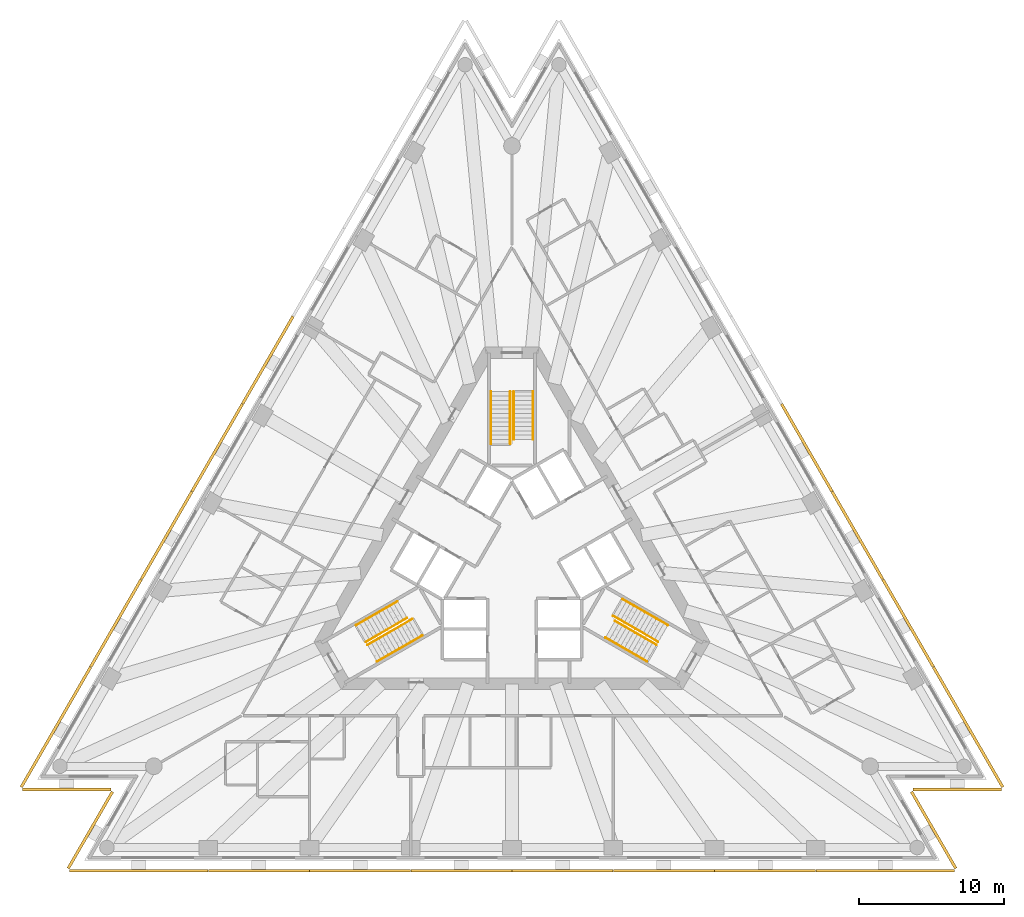
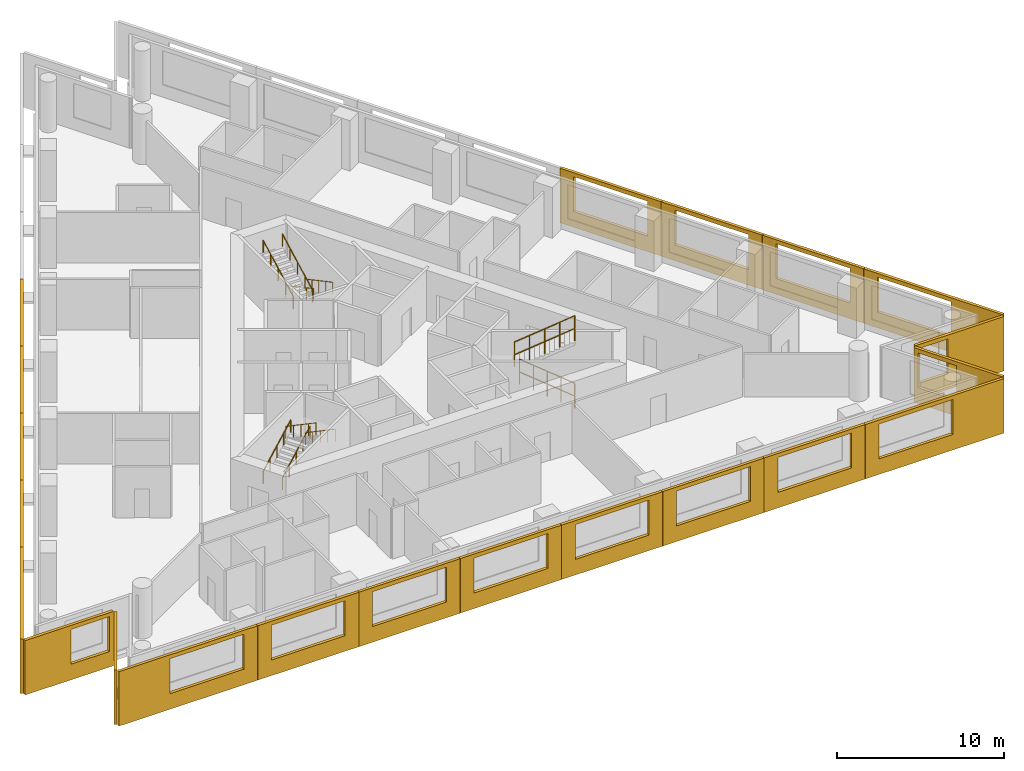
# One storey, part 9 of 10: 21 shading devices, 12 railings, 3 elements without a shape of their own.
"""IFC4 building model written with IfcOpenShell, lengths in metres."""

from ifc_helpers import new_model, si_unit, direction, frame, origin, origin_2d, place, context, subcontext, project, spatial, polyline, circle, outline, extrude, material, layer, layer_set, type_object, element, aggregate, save


model = new_model("IFC4")

# Units and contexts
model_context = context("Model", 3, precision=1e-05, world=origin(), true_north=direction((0.0, 1.0)))
body_context = subcontext(model_context, "Body", "Model", "MODEL_VIEW")
ifc_project = project(units=[si_unit("LENGTHUNIT", "METRE"), si_unit("AREAUNIT", "SQUARE_METRE"), si_unit("VOLUMEUNIT", "CUBIC_METRE"), si_unit("PLANEANGLEUNIT", "RADIAN"), si_unit("MASSUNIT", "GRAM", prefix="KILO")], contexts=[model_context])

# Site, building, storey
site_placement = place(None, origin())
site = spatial("IfcSite", under=ifc_project, at=site_placement, CompositionType="ELEMENT")
building_placement = place(site_placement, origin())
building = spatial("IfcBuilding", under=site, at=building_placement, Name="Triada Interchange Tower", CompositionType="ELEMENT")
storey_placement = place(building_placement, frame((0.0, 0.0, 104.300048828125)))
storey = spatial("IfcBuildingStorey", under=building, at=storey_placement, Name="L23", CompositionType="ELEMENT", Elevation=104.300048828125)

# Shading devices
ifc_material_1 = material(Name="Concrete C50/60 precast", Category="concrete")
ifc_layer_1 = layer(ifc_material_1, 0.02001953125, Name="Exposed aggregate face")
ifc_layer_2 = layer(ifc_material_1, 0.179931640625, Name="Precast concrete screen")
ifc_layer_set = layer_set([ifc_layer_1, ifc_layer_2], Name="Outer skin screen panel 3980")
shading_device_type = type_object("IfcShadingDeviceType", Name="Outer skin screen panel 3980", PredefinedType="SHUTTER", material=ifc_layer_set)
shading_device_1_placement = place(storey_placement, frame((-15.052001953125, 16.763916015625, -0.2900390625), z_axis=(0.0, 0.0, 1.0), x_axis=(-0.49997871953, -0.866037689721, 0.0)))
element("IfcShadingDevice", 1, at=shading_device_1_placement, inside=storey, type_object=shading_device_type, Name="Outer skin screen panel L23 04", PredefinedType="SHUTTER", context=body_context, shape_type="SweptSolid", body=[
    extrude(outline(polyline([(0.0, 0.0), (6.982177734375, 0.0), (6.982177734375, 3.97998046875), (0.0, 3.97998046875), (0.0, 0.0)]), holes=[polyline([(0.9404296875, 1.139892578125), (0.9404296875, 3.68994140625), (6.040283203125, 3.68994140625), (6.040283203125, 1.139892578125), (0.9404296875, 1.139892578125)])]), frame((0.0, 0.0, 0.0), z_axis=(0.0, -1.0, 0.0), x_axis=(1.0, 0.0, 0.0)), (0.0, 0.0, 1.0), 0.199951171875),
])
shading_device_2_placement = place(storey_placement, frame((-18.552978515625, 10.699951171875, -0.2900390625), z_axis=(0.0, 0.0, 1.0), x_axis=(-0.499934370605, -0.866063291618, 0.0)))
element("IfcShadingDevice", 2, at=shading_device_2_placement, inside=storey, type_object=shading_device_type, Name="Outer skin screen panel L23 05", PredefinedType="SHUTTER", context=body_context, shape_type="SweptSolid", body=[
    extrude(outline(polyline([(0.0, 0.0), (6.98095703125, 0.0), (6.98095703125, 3.97998046875), (0.0, 3.97998046875), (0.0, 0.0)]), holes=[polyline([(0.94091796875, 1.139892578125), (0.94091796875, 3.68994140625), (6.040771484375, 3.68994140625), (6.040771484375, 1.139892578125), (0.94091796875, 1.139892578125)])]), frame((0.0, 0.0, 0.0), z_axis=(0.0, -1.0, 0.0), x_axis=(1.0, 0.0, 0.0)), (0.0, 0.0, 1.0), 0.199951171875),
])
shading_device_3_placement = place(storey_placement, frame((-22.052978515625, 4.635986328125, -0.2900390625), z_axis=(0.0, 0.0, 1.0), x_axis=(-0.5000392868, -0.866002720352, 0.0)))
element("IfcShadingDevice", 3, at=shading_device_3_placement, inside=storey, type_object=shading_device_type, Name="Outer skin screen panel L23 06", PredefinedType="SHUTTER", context=body_context, shape_type="SweptSolid", body=[
    extrude(outline(polyline([(0.0, 0.0), (6.9814453125, 0.0), (6.9814453125, 3.97998046875), (0.0, 3.97998046875), (0.0, 0.0)]), holes=[polyline([(0.941162109375, 1.139892578125), (0.941162109375, 3.68994140625), (6.041015625, 3.68994140625), (6.041015625, 1.139892578125), (0.941162109375, 1.139892578125)])]), frame((0.0, 0.0, 0.0), z_axis=(0.0, -1.0, 0.0), x_axis=(1.0, 0.0, 0.0)), (0.0, 0.0, 1.0), 0.199951171875),
])
shading_device_4_placement = place(storey_placement, frame((-25.553955078125, -1.427001953125, -0.2900390625), z_axis=(0.0, 0.0, 1.0), x_axis=(-0.499963579623, -0.866046430078, 0.0)))
element("IfcShadingDevice", 4, at=shading_device_4_placement, inside=storey, type_object=shading_device_type, Name="Outer skin screen panel L23 07", PredefinedType="SHUTTER", context=body_context, shape_type="SweptSolid", body=[
    extrude(outline(polyline([(0.0, 0.0), (6.982421875, 0.0), (6.982421875, 3.97998046875), (0.0, 3.97998046875), (0.0, 0.0)]), holes=[polyline([(0.9404296875, 1.139892578125), (0.9404296875, 3.68994140625), (6.040283203125, 3.68994140625), (6.040283203125, 1.139892578125), (0.9404296875, 1.139892578125)])]), frame((0.0, 0.0, 0.0), z_axis=(0.0, -1.0, 0.0), x_axis=(1.0, 0.0, 0.0)), (0.0, 0.0, 1.0), 0.199951171875),
])
shading_device_5_placement = place(storey_placement, frame((-29.054931640625, -7.490966796875, -0.2900390625), z_axis=(0.0, 0.0, 1.0), x_axis=(-0.500020270231, -0.866013700445, 0.0)))
element("IfcShadingDevice", 5, at=shading_device_5_placement, inside=storey, type_object=shading_device_type, Name="Outer skin screen panel L23 08", PredefinedType="SHUTTER", context=body_context, shape_type="SweptSolid", body=[
    extrude(outline(polyline([(0.0, 0.0), (9.57958984375, 0.0), (9.57958984375, 3.97998046875), (0.0, 3.97998046875), (0.0, 0.0)]), holes=[polyline([(0.940673828125, 1.139892578125), (0.940673828125, 3.68994140625), (6.040771484375, 3.68994140625), (6.040771484375, 1.139892578125), (0.940673828125, 1.139892578125)])]), frame((0.0, 0.0, 0.0), z_axis=(0.0, -1.0, 0.0), x_axis=(1.0, 0.0, 0.0)), (0.0, 0.0, 1.0), 0.199951171875),
])
shading_device_6_placement = place(storey_placement, frame((-33.840087890625, -15.7958984375, -0.2900390625), z_axis=(0.0, 0.0, 1.0), x_axis=(1.0, 0.0, 0.0)))
element("IfcShadingDevice", 6, at=shading_device_6_placement, inside=storey, type_object=shading_device_type, Name="Outer skin screen panel L23 09", PredefinedType="SHUTTER", context=body_context, shape_type="SweptSolid", body=[
    extrude(outline(polyline([(0.0, 0.0), (6.123046875, 0.0), (6.123046875, 3.97998046875), (0.0, 3.97998046875), (0.0, 0.0)]), holes=[polyline([(3.175048828125, 1.139892578125), (3.175048828125, 3.68994140625), (5.822998046875, 3.68994140625), (5.822998046875, 1.139892578125), (3.175048828125, 1.139892578125)])]), frame((0.0, 0.0, 0.0), z_axis=(0.0, -1.0, 0.0), x_axis=(1.0, 0.0, 0.0)), (0.0, 0.0, 1.0), 0.199951171875),
])
shading_device_7_placement = place(storey_placement, frame((-27.5380859375, -16.10498046875, -0.2900390625), z_axis=(0.0, 0.0, 1.0), x_axis=(-0.500041108788, -0.866001668314, 0.0)))
element("IfcShadingDevice", 7, at=shading_device_7_placement, inside=storey, type_object=shading_device_type, Name="Outer skin screen panel L23 10", PredefinedType="SHUTTER", context=body_context, shape_type="SweptSolid", body=[
    extrude(outline(polyline([(0.0, 0.0), (6.12353515625, 0.0), (6.12353515625, 3.97998046875), (0.0, 3.97998046875), (0.0, 0.0)]), holes=[polyline([(0.300048828125, 1.139892578125), (0.300048828125, 3.68994140625), (2.258056640625, 3.68994140625), (2.258056640625, 1.139892578125), (0.300048828125, 1.139892578125)])]), frame((0.0, 0.0, 0.0), z_axis=(0.0, -1.0, 0.0), x_axis=(1.0, 0.0, 0.0)), (0.0, 0.0, 1.0), 0.199951171875),
])
shading_device_8_placement = place(storey_placement, frame((-30.594970703125, -21.4169921875, -0.2900390625), z_axis=(0.0, 0.0, 1.0), x_axis=(1.0, 0.0, 0.0)))
element("IfcShadingDevice", 8, at=shading_device_8_placement, inside=storey, type_object=shading_device_type, Name="Outer skin screen panel L23 11", PredefinedType="SHUTTER", context=body_context, shape_type="SweptSolid", body=[
    extrude(outline(polyline([(0.0, 0.0), (9.580078125, 0.0), (9.580078125, 3.97998046875), (0.0, 3.97998046875), (0.0, 0.0)]), holes=[polyline([(3.5390625, 1.139892578125), (3.5390625, 3.68994140625), (8.638916015625, 3.68994140625), (8.638916015625, 1.139892578125), (3.5390625, 1.139892578125)])]), frame((0.0, 0.0, 0.0), z_axis=(0.0, -1.0, 0.0), x_axis=(1.0, 0.0, 0.0)), (0.0, 0.0, 1.0), 0.199951171875),
])
shading_device_9_placement = place(storey_placement, frame((-20.9951171875, -21.4169921875, -0.2900390625), z_axis=(0.0, 0.0, 1.0), x_axis=(1.0, 0.0, 0.0)))
element("IfcShadingDevice", 9, at=shading_device_9_placement, inside=storey, type_object=shading_device_type, Name="Outer skin screen panel L23 12", PredefinedType="SHUTTER", context=body_context, shape_type="SweptSolid", body=[
    extrude(outline(polyline([(0.0, 0.0), (6.981201171875, 0.0), (6.981201171875, 3.97998046875), (0.0, 3.97998046875), (0.0, 0.0)]), holes=[polyline([(0.94140625, 1.139892578125), (0.94140625, 3.68994140625), (6.041259765625, 3.68994140625), (6.041259765625, 1.139892578125), (0.94140625, 1.139892578125)])]), frame((0.0, 0.0, 0.0), z_axis=(0.0, -1.0, 0.0), x_axis=(1.0, 0.0, 0.0)), (0.0, 0.0, 1.0), 0.199951171875),
])
shading_device_10_placement = place(storey_placement, frame((-13.993896484375, -21.4169921875, -0.2900390625), z_axis=(0.0, 0.0, 1.0), x_axis=(1.0, 0.0, 0.0)))
element("IfcShadingDevice", 10, at=shading_device_10_placement, inside=storey, type_object=shading_device_type, Name="Outer skin screen panel L23 13", PredefinedType="SHUTTER", context=body_context, shape_type="SweptSolid", body=[
    extrude(outline(polyline([(0.0, 0.0), (6.98193359375, 0.0), (6.98193359375, 3.97998046875), (0.0, 3.97998046875), (0.0, 0.0)]), holes=[polyline([(0.9404296875, 1.139892578125), (0.9404296875, 3.68994140625), (6.04052734375, 3.68994140625), (6.04052734375, 1.139892578125), (0.9404296875, 1.139892578125)])]), frame((0.0, 0.0, 0.0), z_axis=(0.0, -1.0, 0.0), x_axis=(1.0, 0.0, 0.0)), (0.0, 0.0, 1.0), 0.199951171875),
])
shading_device_11_placement = place(storey_placement, frame((-6.991943359375, -21.4169921875, -0.2900390625), z_axis=(0.0, 0.0, 1.0), x_axis=(1.0, 0.0, 0.0)))
element("IfcShadingDevice", 11, at=shading_device_11_placement, inside=storey, type_object=shading_device_type, Name="Outer skin screen panel L23 14", PredefinedType="SHUTTER", context=body_context, shape_type="SweptSolid", body=[
    extrude(outline(polyline([(0.0, 0.0), (6.98193359375, 0.0), (6.98193359375, 3.97998046875), (0.0, 3.97998046875), (0.0, 0.0)]), holes=[polyline([(0.94091796875, 1.139892578125), (0.94091796875, 3.68994140625), (6.040771484375, 3.68994140625), (6.040771484375, 1.139892578125), (0.94091796875, 1.139892578125)])]), frame((0.0, 0.0, 0.0), z_axis=(0.0, -1.0, 0.0), x_axis=(1.0, 0.0, 0.0)), (0.0, 0.0, 1.0), 0.199951171875),
])
shading_device_12_placement = place(storey_placement, frame((0.010009765625, -21.4169921875, -0.2900390625), z_axis=(0.0, 0.0, 1.0), x_axis=(1.0, 0.0, 0.0)))
element("IfcShadingDevice", 12, at=shading_device_12_placement, inside=storey, type_object=shading_device_type, Name="Outer skin screen panel L23 15", PredefinedType="SHUTTER", context=body_context, shape_type="SweptSolid", body=[
    extrude(outline(polyline([(0.0, 0.0), (6.98193359375, 0.0), (6.98193359375, 3.97998046875), (0.0, 3.97998046875), (0.0, 0.0)]), holes=[polyline([(0.94091796875, 1.139892578125), (0.94091796875, 3.68994140625), (6.041015625, 3.68994140625), (6.041015625, 1.139892578125), (0.94091796875, 1.139892578125)])]), frame((0.0, 0.0, 0.0), z_axis=(0.0, -1.0, 0.0), x_axis=(1.0, 0.0, 0.0)), (0.0, 0.0, 1.0), 0.199951171875),
])
shading_device_13_placement = place(storey_placement, frame((7.011962890625, -21.4169921875, -0.2900390625), z_axis=(0.0, 0.0, 1.0), x_axis=(1.0, 0.0, 0.0)))
element("IfcShadingDevice", 13, at=shading_device_13_placement, inside=storey, type_object=shading_device_type, Name="Outer skin screen panel L23 16", PredefinedType="SHUTTER", context=body_context, shape_type="SweptSolid", body=[
    extrude(outline(polyline([(0.0, 0.0), (6.98193359375, 0.0), (6.98193359375, 3.97998046875), (0.0, 3.97998046875), (0.0, 0.0)]), holes=[polyline([(0.94140625, 1.139892578125), (0.94140625, 3.68994140625), (6.041259765625, 3.68994140625), (6.041259765625, 1.139892578125), (0.94140625, 1.139892578125)])]), frame((0.0, 0.0, 0.0), z_axis=(0.0, -1.0, 0.0), x_axis=(1.0, 0.0, 0.0)), (0.0, 0.0, 1.0), 0.199951171875),
])
shading_device_14_placement = place(storey_placement, frame((14.012939453125, -21.4169921875, -0.2900390625), z_axis=(0.0, 0.0, 1.0), x_axis=(1.0, 0.0, 0.0)))
element("IfcShadingDevice", 14, at=shading_device_14_placement, inside=storey, type_object=shading_device_type, Name="Outer skin screen panel L23 17", PredefinedType="SHUTTER", context=body_context, shape_type="SweptSolid", body=[
    extrude(outline(polyline([(0.0, 0.0), (6.982177734375, 0.0), (6.982177734375, 3.97998046875), (0.0, 3.97998046875), (0.0, 0.0)]), holes=[polyline([(0.9404296875, 1.139892578125), (0.9404296875, 3.68994140625), (6.04052734375, 3.68994140625), (6.04052734375, 1.139892578125), (0.9404296875, 1.139892578125)])]), frame((0.0, 0.0, 0.0), z_axis=(0.0, -1.0, 0.0), x_axis=(1.0, 0.0, 0.0)), (0.0, 0.0, 1.0), 0.199951171875),
])
shading_device_15_placement = place(storey_placement, frame((21.014892578125, -21.4169921875, -0.2900390625), z_axis=(0.0, 0.0, 1.0), x_axis=(1.0, 0.0, 0.0)))
element("IfcShadingDevice", 15, at=shading_device_15_placement, inside=storey, type_object=shading_device_type, Name="Outer skin screen panel L23 18", PredefinedType="SHUTTER", context=body_context, shape_type="SweptSolid", body=[
    extrude(outline(polyline([(0.0, 0.0), (9.580078125, 0.0), (9.580078125, 3.97998046875), (0.0, 3.97998046875), (0.0, 0.0)]), holes=[polyline([(0.94091796875, 1.139892578125), (0.94091796875, 3.68994140625), (6.040771484375, 3.68994140625), (6.040771484375, 1.139892578125), (0.94091796875, 1.139892578125)])]), frame((0.0, 0.0, 0.0), z_axis=(0.0, -1.0, 0.0), x_axis=(1.0, 0.0, 0.0)), (0.0, 0.0, 1.0), 0.199951171875),
])
shading_device_16_placement = place(storey_placement, frame((30.60009765625, -21.407958984375, -0.2900390625), z_axis=(0.0, 0.0, 1.0), x_axis=(-0.500041108788, 0.866001668314, 0.0)))
element("IfcShadingDevice", 16, at=shading_device_16_placement, inside=storey, type_object=shading_device_type, Name="Outer skin screen panel L23 19", PredefinedType="SHUTTER", context=body_context, shape_type="SweptSolid", body=[
    extrude(outline(polyline([(0.0, 0.0), (6.12353515625, 0.0), (6.12353515625, 3.97998046875), (0.0, 3.97998046875), (0.0, 0.0)]), holes=[polyline([(3.17529296875, 1.139892578125), (3.17529296875, 3.68994140625), (5.82373046875, 3.68994140625), (5.82373046875, 1.139892578125), (3.17529296875, 1.139892578125)])]), frame((0.0, 0.0, 0.0), z_axis=(0.0, -1.0, 0.0), x_axis=(1.0, 0.0, 0.0)), (0.0, 0.0, 1.0), 0.199951171875),
])
shading_device_17_placement = place(storey_placement, frame((27.717041015625, -15.7958984375, -0.2900390625), z_axis=(0.0, 0.0, 1.0), x_axis=(1.0, 0.0, 0.0)))
element("IfcShadingDevice", 17, at=shading_device_17_placement, inside=storey, type_object=shading_device_type, Name="Outer skin screen panel L23 20", PredefinedType="SHUTTER", context=body_context, shape_type="SweptSolid", body=[
    extrude(outline(polyline([(0.0, 0.0), (6.123046875, 0.0), (6.123046875, 3.97998046875), (0.0, 3.97998046875), (0.0, 0.0)]), holes=[polyline([(0.300048828125, 1.139892578125), (0.300048828125, 3.68994140625), (2.258056640625, 3.68994140625), (2.258056640625, 1.139892578125), (0.300048828125, 1.139892578125)])]), frame((0.0, 0.0, 0.0), z_axis=(0.0, -1.0, 0.0), x_axis=(1.0, 0.0, 0.0)), (0.0, 0.0, 1.0), 0.199951171875),
])
shading_device_18_placement = place(storey_placement, frame((33.844970703125, -15.787109375, -0.2900390625), z_axis=(0.0, 0.0, 1.0), x_axis=(-0.500020270231, 0.866013700445, 0.0)))
element("IfcShadingDevice", 18, at=shading_device_18_placement, inside=storey, type_object=shading_device_type, Name="Outer skin screen panel L23 21", PredefinedType="SHUTTER", context=body_context, shape_type="SweptSolid", body=[
    extrude(outline(polyline([(0.0, 0.0), (9.57958984375, 0.0), (9.57958984375, 3.97998046875), (0.0, 3.97998046875), (0.0, 0.0)]), holes=[polyline([(3.539306640625, 1.139892578125), (3.539306640625, 3.68994140625), (8.639404296875, 3.68994140625), (8.639404296875, 1.139892578125), (3.539306640625, 1.139892578125)])]), frame((0.0, 0.0, 0.0), z_axis=(0.0, -1.0, 0.0), x_axis=(1.0, 0.0, 0.0)), (0.0, 0.0, 1.0), 0.199951171875),
])
shading_device_19_placement = place(storey_placement, frame((29.044921875, -7.47412109375, -0.2900390625), z_axis=(0.0, 0.0, 1.0), x_axis=(-0.499963579623, 0.866046430078, 0.0)))
element("IfcShadingDevice", 19, at=shading_device_19_placement, inside=storey, type_object=shading_device_type, Name="Outer skin screen panel L23 22", PredefinedType="SHUTTER", context=body_context, shape_type="SweptSolid", body=[
    extrude(outline(polyline([(0.0, 0.0), (6.982421875, 0.0), (6.982421875, 3.97998046875), (0.0, 3.97998046875), (0.0, 0.0)]), holes=[polyline([(0.9404296875, 1.139892578125), (0.9404296875, 3.68994140625), (6.04052734375, 3.68994140625), (6.04052734375, 1.139892578125), (0.9404296875, 1.139892578125)])]), frame((0.0, 0.0, 0.0), z_axis=(0.0, -1.0, 0.0), x_axis=(1.0, 0.0, 0.0)), (0.0, 0.0, 1.0), 0.199951171875),
])
shading_device_20_placement = place(storey_placement, frame((25.5439453125, -1.409912109375, -0.2900390625), z_axis=(0.0, 0.0, 1.0), x_axis=(-0.5000392868, 0.866002720352, 0.0)))
element("IfcShadingDevice", 20, at=shading_device_20_placement, inside=storey, type_object=shading_device_type, Name="Outer skin screen panel L23 23", PredefinedType="SHUTTER", context=body_context, shape_type="SweptSolid", body=[
    extrude(outline(polyline([(0.0, 0.0), (6.9814453125, 0.0), (6.9814453125, 3.97998046875), (0.0, 3.97998046875), (0.0, 0.0)]), holes=[polyline([(0.94091796875, 1.139892578125), (0.94091796875, 3.68994140625), (6.040771484375, 3.68994140625), (6.040771484375, 1.139892578125), (0.94091796875, 1.139892578125)])]), frame((0.0, 0.0, 0.0), z_axis=(0.0, -1.0, 0.0), x_axis=(1.0, 0.0, 0.0)), (0.0, 0.0, 1.0), 0.199951171875),
])
shading_device_21_placement = place(storey_placement, frame((22.04296875, 4.654052734375, -0.2900390625), z_axis=(0.0, 0.0, 1.0), x_axis=(-0.499934370605, 0.866063291618, 0.0)))
element("IfcShadingDevice", 21, at=shading_device_21_placement, inside=storey, type_object=shading_device_type, Name="Outer skin screen panel L23 24", PredefinedType="SHUTTER", context=body_context, shape_type="SweptSolid", body=[
    extrude(outline(polyline([(0.0, 0.0), (6.98095703125, 0.0), (6.98095703125, 3.97998046875), (0.0, 3.97998046875), (0.0, 0.0)]), holes=[polyline([(0.941162109375, 1.139892578125), (0.941162109375, 3.68994140625), (6.041259765625, 3.68994140625), (6.041259765625, 1.139892578125), (0.941162109375, 1.139892578125)])]), frame((0.0, 0.0, 0.0), z_axis=(0.0, -1.0, 0.0), x_axis=(1.0, 0.0, 0.0)), (0.0, 0.0, 1.0), 0.199951171875),
])

# Stair, railings
ifc_material_2 = material(Name="Concrete C35/45", Category="concrete")
stair_type = type_object("IfcStairType", Name="HALF TURN STAIR 1400", PredefinedType="HALF_TURN_STAIR", material=ifc_material_2)
stair_1_placement = place(storey_placement, origin())
stair_1 = element("IfcStair", 22, at=stair_1_placement, inside=storey, type_object=stair_type, Name="Exit stair S23-1", PredefinedType="HALF_TURN_STAIR")
ifc_material_3 = material(Name="Stainless steel 1.4301", Category="steel")
railing_type = type_object("IfcRailingType", Name="STAIR HANDRAIL 900", PredefinedType="HANDRAIL", material=ifc_material_3)
railing_1_placement = place(storey_placement, frame((1.449951171875, 11.60009765625, 0.159912109375)))
railing_1 = element("IfcRailing", 23, at=railing_1_placement, type_object=railing_type, Name="Handrail S23-1 1W", PredefinedType="HANDRAIL", context=body_context, shape_type="SweptSolid", body=[
    extrude(circle(Radius=0.02392578125, at=origin_2d()), frame((0.0, 0.0, 0.8759765625), z_axis=(0.0, -0.882354748157, 0.47058484719), x_axis=(1.0, 0.0, 0.0)), (0.0, 0.0, 1.0), 3.739990234375),
    extrude(circle(Radius=0.02099609375, at=origin_2d()), origin(), (0.0, 0.0, 1.0), 0.851806640625),
    extrude(circle(Radius=0.02099609375, at=origin_2d()), frame((0.0, -0.824951171875, 0.43994140625)), (0.0, 0.0, 1.0), 0.851806640625),
    extrude(circle(Radius=0.02099609375, at=origin_2d()), frame((0.0, -1.64990234375, 0.8798828125)), (0.0, 0.0, 1.0), 0.851806640625),
    extrude(circle(Radius=0.02099609375, at=origin_2d()), frame((0.0, -2.47509765625, 1.320068359375)), (0.0, 0.0, 1.0), 0.851806640625),
    extrude(circle(Radius=0.02099609375, at=origin_2d()), frame((0.0, -3.300048828125, 1.760009765625)), (0.0, 0.0, 1.0), 0.851806640625),
])
railing_2_placement = place(storey_placement, frame((0.1201171875, 11.60009765625, 0.159912109375)))
railing_2 = element("IfcRailing", 24, at=railing_2_placement, type_object=railing_type, Name="Handrail S23-1 1C", PredefinedType="HANDRAIL", context=body_context, shape_type="SweptSolid", body=[
    extrude(circle(Radius=0.02392578125, at=origin_2d()), frame((0.0, 0.0, 0.8759765625), z_axis=(0.0, -0.882354748157, 0.47058484719), x_axis=(1.0, 0.0, 0.0)), (0.0, 0.0, 1.0), 3.739990234375),
    extrude(circle(Radius=0.02099609375, at=origin_2d()), origin(), (0.0, 0.0, 1.0), 0.851806640625),
    extrude(circle(Radius=0.02099609375, at=origin_2d()), frame((0.0, -0.824951171875, 0.43994140625)), (0.0, 0.0, 1.0), 0.851806640625),
    extrude(circle(Radius=0.02099609375, at=origin_2d()), frame((0.0, -1.64990234375, 0.8798828125)), (0.0, 0.0, 1.0), 0.851806640625),
    extrude(circle(Radius=0.02099609375, at=origin_2d()), frame((0.0, -2.47509765625, 1.320068359375)), (0.0, 0.0, 1.0), 0.851806640625),
    extrude(circle(Radius=0.02099609375, at=origin_2d()), frame((0.0, -3.300048828125, 1.760009765625)), (0.0, 0.0, 1.0), 0.851806640625),
])
railing_3_placement = place(storey_placement, frame((-1.449951171875, 8.0, 2.079833984375)))
railing_3 = element("IfcRailing", 25, at=railing_3_placement, type_object=railing_type, Name="Handrail S23-1 2W", PredefinedType="HANDRAIL", context=body_context, shape_type="SweptSolid", body=[
    extrude(circle(Radius=0.02392578125, at=origin_2d()), frame((0.0, 0.0, 0.8759765625), z_axis=(0.0, 0.882341346394, 0.470609974867), x_axis=(-1.0, 0.0, 0.0)), (0.0, 0.0, 1.0), 4.080078125),
    extrude(circle(Radius=0.02099609375, at=origin_2d()), origin(), (0.0, 0.0, 1.0), 0.851806640625),
    extrude(circle(Radius=0.02099609375, at=origin_2d()), frame((0.0, 0.89990234375, 0.47998046875)), (0.0, 0.0, 1.0), 0.851806640625),
    extrude(circle(Radius=0.02099609375, at=origin_2d()), frame((0.0, 1.800048828125, 0.9599609375)), (0.0, 0.0, 1.0), 0.851806640625),
    extrude(circle(Radius=0.02099609375, at=origin_2d()), frame((0.0, 2.7001953125, 1.440185546875)), (0.0, 0.0, 1.0), 0.851806640625),
    extrude(circle(Radius=0.02099609375, at=origin_2d()), frame((0.0, 3.60009765625, 1.920166015625)), (0.0, 0.0, 1.0), 0.851806640625),
])
railing_4_placement = place(storey_placement, frame((-0.1201171875, 8.0, 2.079833984375)))
railing_4 = element("IfcRailing", 26, at=railing_4_placement, type_object=railing_type, Name="Handrail S23-1 2C", PredefinedType="HANDRAIL", context=body_context, shape_type="SweptSolid", body=[
    extrude(circle(Radius=0.02392578125, at=origin_2d()), frame((0.0, 0.0, 0.8759765625), z_axis=(0.0, 0.882341346394, 0.470609974867), x_axis=(-1.0, 0.0, 0.0)), (0.0, 0.0, 1.0), 4.080078125),
    extrude(circle(Radius=0.02099609375, at=origin_2d()), origin(), (0.0, 0.0, 1.0), 0.851806640625),
    extrude(circle(Radius=0.02099609375, at=origin_2d()), frame((0.0, 0.89990234375, 0.47998046875)), (0.0, 0.0, 1.0), 0.851806640625),
    extrude(circle(Radius=0.02099609375, at=origin_2d()), frame((0.0, 1.800048828125, 0.9599609375)), (0.0, 0.0, 1.0), 0.851806640625),
    extrude(circle(Radius=0.02099609375, at=origin_2d()), frame((0.0, 2.7001953125, 1.440185546875)), (0.0, 0.0, 1.0), 0.851806640625),
    extrude(circle(Radius=0.02099609375, at=origin_2d()), frame((0.0, 3.60009765625, 1.920166015625)), (0.0, 0.0, 1.0), 0.851806640625),
])
aggregate(stair_1, [railing_1, railing_2, railing_3, railing_4])

stair_2_placement = place(storey_placement, origin())
stair_2 = element("IfcStair", 27, at=stair_2_placement, inside=storey, type_object=stair_type, Name="Exit stair S23-2", PredefinedType="HALF_TURN_STAIR")
railing_5_placement = place(storey_placement, frame((-10.77099609375, -4.5439453125, 0.159912109375)))
railing_5 = element("IfcRailing", 28, at=railing_5_placement, type_object=railing_type, Name="Handrail S23-2 1W", PredefinedType="HANDRAIL", context=body_context, shape_type="SweptSolid", body=[
    extrude(circle(Radius=0.02392578125, at=origin_2d()), frame((0.0, 0.0, 0.8759765625), z_axis=(0.764150854273, 0.441152526326, 0.470593158077), x_axis=(-0.499974350878, 0.866040211805, 0.0)), (0.0, 0.0, 1.0), 3.739990234375),
    extrude(circle(Radius=0.02099609375, at=origin_2d()), origin(), (0.0, 0.0, 1.0), 0.851806640625),
    extrude(circle(Radius=0.02099609375, at=origin_2d()), frame((0.71435546875, 0.41259765625, 0.43994140625)), (0.0, 0.0, 1.0), 0.851806640625),
    extrude(circle(Radius=0.02099609375, at=origin_2d()), frame((1.428955078125, 0.824951171875, 0.8798828125)), (0.0, 0.0, 1.0), 0.851806640625),
    extrude(circle(Radius=0.02099609375, at=origin_2d()), frame((2.1435546875, 1.2373046875, 1.320068359375)), (0.0, 0.0, 1.0), 0.851806640625),
    extrude(circle(Radius=0.02099609375, at=origin_2d()), frame((2.85791015625, 1.64990234375, 1.760009765625)), (0.0, 0.0, 1.0), 0.851806640625),
])
railing_6_placement = place(storey_placement, frame((-10.10595703125, -5.696044921875, 0.159912109375)))
railing_6 = element("IfcRailing", 29, at=railing_6_placement, type_object=railing_type, Name="Handrail S23-2 1C", PredefinedType="HANDRAIL", context=body_context, shape_type="SweptSolid", body=[
    extrude(circle(Radius=0.02392578125, at=origin_2d()), frame((0.0, 0.0, 0.8759765625), z_axis=(0.76412884773, 0.441205098395, 0.470579605611), x_axis=(-0.50002983664, 0.866008176907, 0.0)), (0.0, 0.0, 1.0), 3.739990234375),
    extrude(circle(Radius=0.02099609375, at=origin_2d()), origin(), (0.0, 0.0, 1.0), 0.851806640625),
    extrude(circle(Radius=0.02099609375, at=origin_2d()), frame((0.71435546875, 0.41259765625, 0.43994140625)), (0.0, 0.0, 1.0), 0.851806640625),
    extrude(circle(Radius=0.02099609375, at=origin_2d()), frame((1.428955078125, 0.8251953125, 0.8798828125)), (0.0, 0.0, 1.0), 0.851806640625),
    extrude(circle(Radius=0.02099609375, at=origin_2d()), frame((2.1435546875, 1.237548828125, 1.320068359375)), (0.0, 0.0, 1.0), 0.851806640625),
    extrude(circle(Radius=0.02099609375, at=origin_2d()), frame((2.85791015625, 1.650146484375, 1.760009765625)), (0.0, 0.0, 1.0), 0.851806640625),
])
railing_7_placement = place(storey_placement, frame((-6.202880859375, -5.256103515625, 2.079833984375)))
railing_7 = element("IfcRailing", 30, at=railing_7_placement, type_object=railing_type, Name="Handrail S23-2 2W", PredefinedType="HANDRAIL", context=body_context, shape_type="SweptSolid", body=[
    extrude(circle(Radius=0.02392578125, at=origin_2d()), frame((0.0, 0.0, 0.8759765625), z_axis=(-0.764189758314, -0.441090424232, 0.470588196769), x_axis=(0.499902469156, -0.866081705922, 0.0)), (0.0, 0.0, 1.0), 4.080322265625),
    extrude(circle(Radius=0.02099609375, at=origin_2d()), origin(), (0.0, 0.0, 1.0), 0.851806640625),
    extrude(circle(Radius=0.02099609375, at=origin_2d()), frame((-0.779541015625, -0.449951171875, 0.47998046875)), (0.0, 0.0, 1.0), 0.851806640625),
    extrude(circle(Radius=0.02099609375, at=origin_2d()), frame((-1.55908203125, -0.89990234375, 0.9599609375)), (0.0, 0.0, 1.0), 0.851806640625),
    extrude(circle(Radius=0.02099609375, at=origin_2d()), frame((-2.338623046875, -1.349853515625, 1.440185546875)), (0.0, 0.0, 1.0), 0.851806640625),
    extrude(circle(Radius=0.02099609375, at=origin_2d()), frame((-3.1181640625, -1.7998046875, 1.920166015625)), (0.0, 0.0, 1.0), 0.851806640625),
])
railing_8_placement = place(storey_placement, frame((-6.867919921875, -4.10400390625, 2.079833984375)))
railing_8 = element("IfcRailing", 31, at=railing_8_placement, type_object=railing_type, Name="Handrail S23-2 2C", PredefinedType="HANDRAIL", context=body_context, shape_type="SweptSolid", body=[
    extrude(circle(Radius=0.02392578125, at=origin_2d()), frame((0.0, 0.0, 0.8759765625), z_axis=(-0.764169589359, -0.441138614339, 0.470575776723), x_axis=(0.49995333141, -0.866052346231, 0.0)), (0.0, 0.0, 1.0), 4.08056640625),
    extrude(circle(Radius=0.02099609375, at=origin_2d()), origin(), (0.0, 0.0, 1.0), 0.851806640625),
    extrude(circle(Radius=0.02099609375, at=origin_2d()), frame((-0.779541015625, -0.449951171875, 0.47998046875)), (0.0, 0.0, 1.0), 0.851806640625),
    extrude(circle(Radius=0.02099609375, at=origin_2d()), frame((-1.55908203125, -0.89990234375, 0.9599609375)), (0.0, 0.0, 1.0), 0.851806640625),
    extrude(circle(Radius=0.02099609375, at=origin_2d()), frame((-2.338623046875, -1.35009765625, 1.440185546875)), (0.0, 0.0, 1.0), 0.851806640625),
    extrude(circle(Radius=0.02099609375, at=origin_2d()), frame((-3.1181640625, -1.800048828125, 1.920166015625)), (0.0, 0.0, 1.0), 0.851806640625),
])
aggregate(stair_2, [railing_5, railing_6, railing_7, railing_8])

stair_3_placement = place(storey_placement, origin())
stair_3 = element("IfcStair", 32, at=stair_3_placement, inside=storey, type_object=stair_type, Name="Exit stair S23-3", PredefinedType="HALF_TURN_STAIR")
railing_9_placement = place(storey_placement, frame((9.321044921875, -7.055908203125, 0.159912109375)))
railing_9 = element("IfcRailing", 33, at=railing_9_placement, type_object=railing_type, Name="Handrail S23-3 1W", PredefinedType="HANDRAIL", context=body_context, shape_type="SweptSolid", body=[
    extrude(circle(Radius=0.02392578125, at=origin_2d()), frame((0.0, 0.0, 0.8759765625), z_axis=(-0.764178012919, 0.441130521168, 0.470569684388), x_axis=(-0.499942318283, -0.866058703778, 0.0)), (0.0, 0.0, 1.0), 3.740234375),
    extrude(circle(Radius=0.02099609375, at=origin_2d()), origin(), (0.0, 0.0, 1.0), 0.851806640625),
    extrude(circle(Radius=0.02099609375, at=origin_2d()), frame((-0.714599609375, 0.41259765625, 0.43994140625)), (0.0, 0.0, 1.0), 0.851806640625),
    extrude(circle(Radius=0.02099609375, at=origin_2d()), frame((-1.42919921875, 0.824951171875, 0.8798828125)), (0.0, 0.0, 1.0), 0.851806640625),
    extrude(circle(Radius=0.02099609375, at=origin_2d()), frame((-2.1435546875, 1.2373046875, 1.320068359375)), (0.0, 0.0, 1.0), 0.851806640625),
    extrude(circle(Radius=0.02099609375, at=origin_2d()), frame((-2.858154296875, 1.64990234375, 1.760009765625)), (0.0, 0.0, 1.0), 0.851806640625),
])
railing_10_placement = place(storey_placement, frame((9.986083984375, -5.904052734375, 0.159912109375)))
railing_10 = element("IfcRailing", 34, at=railing_10_placement, type_object=railing_type, Name="Handrail S23-3 1C", PredefinedType="HANDRAIL", context=body_context, shape_type="SweptSolid", body=[
    extrude(circle(Radius=0.02392578125, at=origin_2d()), frame((0.0, 0.0, 0.8759765625), z_axis=(-0.764156007789, 0.441183091881, 0.47055613395), x_axis=(-0.49999780286, -0.8660266723, 0.0)), (0.0, 0.0, 1.0), 3.740234375),
    extrude(circle(Radius=0.02099609375, at=origin_2d()), origin(), (0.0, 0.0, 1.0), 0.851806640625),
    extrude(circle(Radius=0.02099609375, at=origin_2d()), frame((-0.714599609375, 0.41259765625, 0.43994140625)), (0.0, 0.0, 1.0), 0.851806640625),
    extrude(circle(Radius=0.02099609375, at=origin_2d()), frame((-1.42919921875, 0.8251953125, 0.8798828125)), (0.0, 0.0, 1.0), 0.851806640625),
    extrude(circle(Radius=0.02099609375, at=origin_2d()), frame((-2.1435546875, 1.237548828125, 1.320068359375)), (0.0, 0.0, 1.0), 0.851806640625),
    extrude(circle(Radius=0.02099609375, at=origin_2d()), frame((-2.858154296875, 1.650146484375, 1.760009765625)), (0.0, 0.0, 1.0), 0.851806640625),
])
railing_11_placement = place(storey_placement, frame((7.653076171875, -2.743896484375, 2.079833984375)))
railing_11 = element("IfcRailing", 35, at=railing_11_placement, type_object=railing_type, Name="Handrail S23-3 2W", PredefinedType="HANDRAIL", context=body_context, shape_type="SweptSolid", body=[
    extrude(circle(Radius=0.02392578125, at=origin_2d()), frame((0.0, 0.0, 0.8759765625), z_axis=(0.76414469501, -0.441158784458, 0.470597292793), x_axis=(0.499982693035, 0.866035395735, 0.0)), (0.0, 0.0, 1.0), 4.080322265625),
    extrude(circle(Radius=0.02099609375, at=origin_2d()), origin(), (0.0, 0.0, 1.0), 0.851806640625),
    extrude(circle(Radius=0.02099609375, at=origin_2d()), frame((0.779541015625, -0.449951171875, 0.47998046875)), (0.0, 0.0, 1.0), 0.851806640625),
    extrude(circle(Radius=0.02099609375, at=origin_2d()), frame((1.55908203125, -0.89990234375, 0.9599609375)), (0.0, 0.0, 1.0), 0.851806640625),
    extrude(circle(Radius=0.02099609375, at=origin_2d()), frame((2.33837890625, -1.35009765625, 1.440185546875)), (0.0, 0.0, 1.0), 0.851806640625),
    extrude(circle(Radius=0.02099609375, at=origin_2d()), frame((3.117919921875, -1.800048828125, 1.920166015625)), (0.0, 0.0, 1.0), 0.851806640625),
])
railing_12_placement = place(storey_placement, frame((6.988037109375, -3.89599609375, 2.079833984375)))
railing_12 = element("IfcRailing", 36, at=railing_12_placement, type_object=railing_type, Name="Handrail S23-3 2C", PredefinedType="HANDRAIL", context=body_context, shape_type="SweptSolid", body=[
    extrude(circle(Radius=0.02392578125, at=origin_2d()), frame((0.0, 0.0, 0.8759765625), z_axis=(0.76414469501, -0.441158784458, 0.470597292793), x_axis=(0.499982693035, 0.866035395735, 0.0)), (0.0, 0.0, 1.0), 4.080322265625),
    extrude(circle(Radius=0.02099609375, at=origin_2d()), origin(), (0.0, 0.0, 1.0), 0.851806640625),
    extrude(circle(Radius=0.02099609375, at=origin_2d()), frame((0.779541015625, -0.449951171875, 0.47998046875)), (0.0, 0.0, 1.0), 0.851806640625),
    extrude(circle(Radius=0.02099609375, at=origin_2d()), frame((1.55908203125, -0.89990234375, 0.9599609375)), (0.0, 0.0, 1.0), 0.851806640625),
    extrude(circle(Radius=0.02099609375, at=origin_2d()), frame((2.33837890625, -1.35009765625, 1.440185546875)), (0.0, 0.0, 1.0), 0.851806640625),
    extrude(circle(Radius=0.02099609375, at=origin_2d()), frame((3.117919921875, -1.800048828125, 1.920166015625)), (0.0, 0.0, 1.0), 0.851806640625),
])
aggregate(stair_3, [railing_9, railing_10, railing_11, railing_12])

save(model, "model.ifc")
